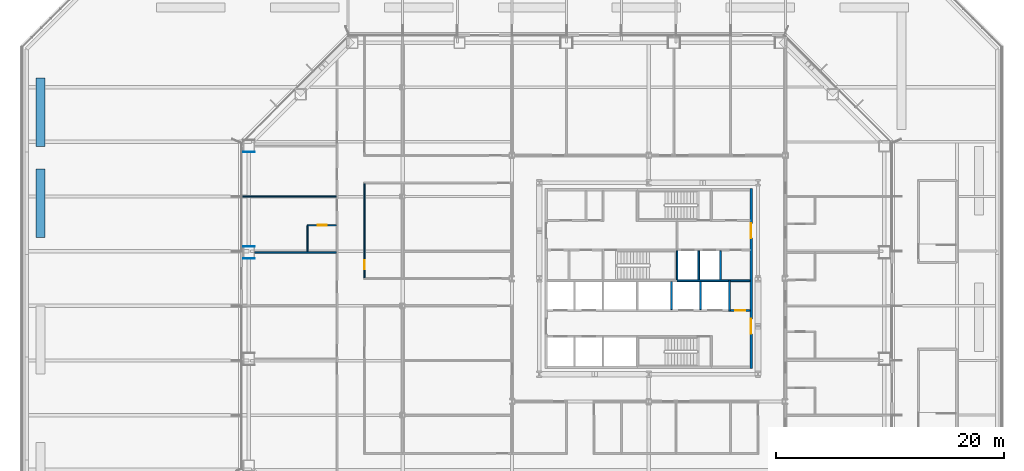
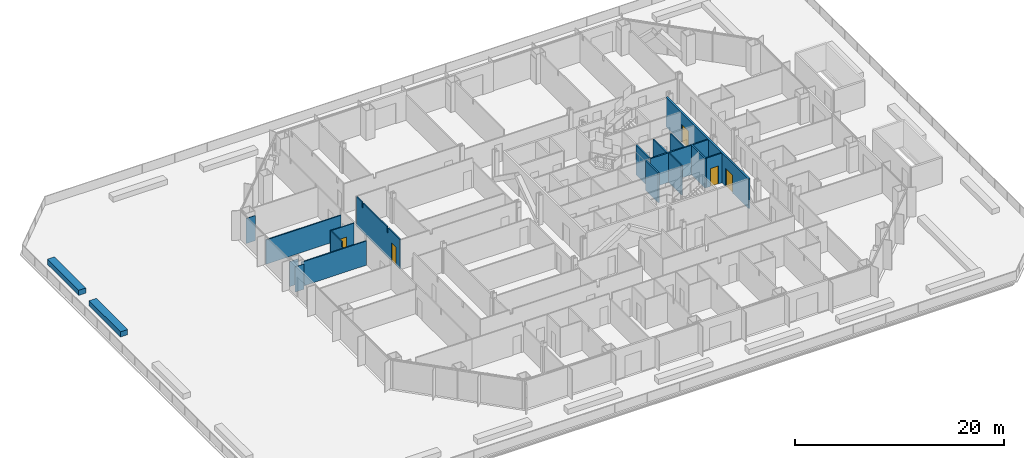
# One storey, part 12 of 18: 20 walls, 5 doors, 5 openings.
"""IFC4 building model written with IfcOpenShell, lengths in metres."""

from ifc_helpers import new_model, si_unit, direction, frame, frame_2d, origin, place, context, subcontext, project, spatial, polyline, rectangle, outline, extrude, material, layer, layer_set, type_object, element, fill, save


model = new_model("IFC4")

# Units and contexts
model_context = context("Model", 3, precision=1e-05, world=origin(), true_north=direction((0.0, 1.0)))
body_context = subcontext(model_context, "Body", "Model", "MODEL_VIEW")
ifc_project = project(units=[si_unit("LENGTHUNIT", "METRE"), si_unit("AREAUNIT", "SQUARE_METRE"), si_unit("VOLUMEUNIT", "CUBIC_METRE"), si_unit("PLANEANGLEUNIT", "RADIAN"), si_unit("MASSUNIT", "GRAM", prefix="KILO")], contexts=[model_context])

# Site, building, storey
site_placement = place(None, origin())
site = spatial("IfcSite", under=ifc_project, at=site_placement, CompositionType="ELEMENT")
building_placement = place(site_placement, origin())
building = spatial("IfcBuilding", under=site, at=building_placement, Name="Cairn Pilgrim Tower", CompositionType="ELEMENT")
storey_placement = place(building_placement, frame((0.0, 0.0, 40.199951171875)))
storey = spatial("IfcBuildingStorey", under=building, at=storey_placement, Name="L07", CompositionType="ELEMENT", Elevation=40.199951171875)

# Wall, openings, doors
ifc_material_1 = material(Name="Concrete C32/40", Category="concrete")
ifc_layer_1 = layer(ifc_material_1, 0.199951171875)
ifc_layer_set_1 = layer_set([ifc_layer_1], Name="CORE OUTER WALL 200 EI 120")
wall_type_1 = type_object("IfcWallType", Name="CORE OUTER WALL 200 EI 120", PredefinedType="SOLIDWALL", material=ifc_layer_set_1)
wall_1_placement = place(storey_placement, frame((16.199951171875, -5.5, 0.0), z_axis=(0.0, 0.0, 1.0), x_axis=(0.0, 1.0, 0.0)))
wall_1 = element("IfcWall", 1, at=wall_1_placement, inside=storey, type_object=wall_type_1, Name="CW:L07:V33", PredefinedType="SOLIDWALL", context=body_context, shape_type="SweptSolid", body=[
    extrude(rectangle(XDim=15.800048828125, YDim=0.199951171875, at=frame_2d((7.89990234375, 0.0))), origin(), (0.0, 0.0, 1.0), 3.449951171875),
])
opening_1_placement = place(wall_1_placement, frame((3.050048828125, 0.0, 0.0)))
opening_1 = element("IfcOpeningElement", 2, at=opening_1_placement, cuts=wall_1, Name="Opening CD-E1", PredefinedType="OPENING", context=body_context, shape_type="SweptSolid", body=[
    extrude(rectangle(XDim=1.300048828125, YDim=2.10009765625, at=frame_2d((0.64990234375, 1.050048828125))), frame((0.0, 0.10986328125, 0.0), z_axis=(0.0, -1.0, 0.0), x_axis=(1.0, 0.0, 0.0)), (0.0, 0.0, 1.0), 0.219970703125),
])
opening_2_placement = place(wall_1_placement, frame((11.449951171875, 0.0, 0.0)))
opening_2 = element("IfcOpeningElement", 3, at=opening_2_placement, cuts=wall_1, Name="Opening CD-E2", PredefinedType="OPENING", context=body_context, shape_type="SweptSolid", body=[
    extrude(rectangle(XDim=1.300048828125, YDim=2.10009765625, at=frame_2d((0.64990234375, 1.050048828125))), frame((0.0, 0.10986328125, 0.0), z_axis=(0.0, -1.0, 0.0), x_axis=(1.0, 0.0, 0.0)), (0.0, 0.0, 1.0), 0.219970703125),
])
ifc_material_2 = material(Name="Painted steel", Category="steel")
door_type_1 = type_object("IfcDoorType", Name="CORE LOBBY DOOR 1300x2100", OperationType="DOUBLE_DOOR_SINGLE_SWING", PredefinedType="DOOR", material=ifc_material_2)
door_1_placement = place(opening_1_placement, origin())
door_1 = element("IfcDoor", 4, at=door_1_placement, inside=storey, type_object=door_type_1, Name="CD-E1", OperationType="DOUBLE_DOOR_SINGLE_SWING", OverallHeight=2.10009765625, OverallWidth=1.300048828125, PredefinedType="DOOR", context=body_context, shape_type="SweptSolid", body=[
    extrude(rectangle(XDim=1.300048828125, YDim=2.10009765625, at=frame_2d((0.64990234375, 1.050048828125))), frame((0.0, 0.02490234375, 0.0), z_axis=(0.0, -1.0, 0.0), x_axis=(1.0, 0.0, 0.0)), (0.0, 0.0, 1.0), 0.050048828125),
])
fill(opening_1, door_1)
door_2_placement = place(opening_2_placement, origin())
door_2 = element("IfcDoor", 5, at=door_2_placement, inside=storey, type_object=door_type_1, Name="CD-E2", OperationType="DOUBLE_DOOR_SINGLE_SWING", OverallHeight=2.10009765625, OverallWidth=1.300048828125, PredefinedType="DOOR", context=body_context, shape_type="SweptSolid", body=[
    extrude(rectangle(XDim=1.300048828125, YDim=2.10009765625, at=frame_2d((0.64990234375, 1.050048828125))), frame((0.0, 0.02490234375, 0.0), z_axis=(0.0, -1.0, 0.0), x_axis=(1.0, 0.0, 0.0)), (0.0, 0.0, 1.0), 0.050048828125),
])
fill(opening_2, door_2)

# Wall, opening, door
ifc_layer_2 = layer(ifc_material_1, 0.14990234375)
ifc_layer_set_2 = layer_set([ifc_layer_2], Name="CORE PARTITION 150 EI 60")
wall_type_2 = type_object("IfcWallType", Name="CORE PARTITION 150 EI 60", PredefinedType="PARTITIONING", material=ifc_layer_set_2)
wall_2_placement = place(storey_placement, frame((14.375, -0.39990234375, 0.0), z_axis=(0.0, 0.0, 1.0), x_axis=(1.0, 0.0, 0.0)))
wall_2 = element("IfcWall", 6, at=wall_2_placement, inside=storey, type_object=wall_type_2, Name="CW:L07:H04", PredefinedType="PARTITIONING", context=body_context, shape_type="SweptSolid", body=[
    extrude(rectangle(XDim=1.72509765625, YDim=0.14990234375, at=frame_2d((0.862548828125, 0.0))), origin(), (0.0, 0.0, 1.0), 3.449951171875),
])
opening_3_placement = place(wall_2_placement, frame((0.425048828125, 0.0, 0.0)))
opening_3 = element("IfcOpeningElement", 7, at=opening_3_placement, cuts=wall_2, Name="Opening RD-R2E", PredefinedType="OPENING", context=body_context, shape_type="SweptSolid", body=[
    extrude(rectangle(XDim=0.89990234375, YDim=2.10009765625, at=frame_2d((0.449951171875, 1.050048828125))), frame((0.0, 0.0849609375, 0.0), z_axis=(0.0, -1.0, 0.0), x_axis=(1.0, 0.0, 0.0)), (0.0, 0.0, 1.0), 0.169921875),
])
door_type_2 = type_object("IfcDoorType", Name="SERVICE ROOM DOOR 900x2100", OperationType="SINGLE_SWING_LEFT", PredefinedType="DOOR", material=ifc_material_2)
door_3_placement = place(opening_3_placement, origin())
door_3 = element("IfcDoor", 8, at=door_3_placement, inside=storey, type_object=door_type_2, Name="RD-R2E", OperationType="SINGLE_SWING_RIGHT", OverallHeight=2.10009765625, OverallWidth=0.89990234375, PredefinedType="DOOR", context=body_context, shape_type="SweptSolid", body=[
    extrude(rectangle(XDim=0.89990234375, YDim=2.10009765625, at=frame_2d((0.449951171875, 1.050048828125))), frame((0.0, 0.02490234375, 0.0), z_axis=(0.0, -1.0, 0.0), x_axis=(1.0, 0.0, 0.0)), (0.0, 0.0, 1.0), 0.050048828125),
])
fill(opening_3, door_3)

# Walls
wall_3_placement = place(storey_placement, frame((14.375, 2.199951171875, 0.0), z_axis=(0.0, 0.0, 1.0), x_axis=(1.0, 0.0, 0.0)))
element("IfcWall", 9, at=wall_3_placement, inside=storey, type_object=wall_type_2, Name="CW:L07:H06", PredefinedType="PARTITIONING", context=body_context, shape_type="SweptSolid", body=[
    extrude(rectangle(XDim=1.72509765625, YDim=0.14990234375, at=frame_2d((0.862548828125, 0.0))), origin(), (0.0, 0.0, 1.0), 3.449951171875),
])
ifc_layer_3 = layer(ifc_material_1, 0.14990234375)
ifc_layer_set_3 = layer_set([ifc_layer_3], Name="CORE SHAFT WALL 150 EI 120")
wall_type_3 = type_object("IfcWallType", Name="CORE SHAFT WALL 150 EI 120", PredefinedType="SOLIDWALL", material=ifc_layer_set_3)
wall_4_placement = place(storey_placement, frame((9.699951171875, 2.199951171875, 0.0), z_axis=(0.0, 0.0, 1.0), x_axis=(1.0, 0.0, 0.0)))
element("IfcWall", 10, at=wall_4_placement, inside=storey, type_object=wall_type_3, Name="CW:L07:H05-3", PredefinedType="SOLIDWALL", context=body_context, shape_type="SweptSolid", body=[
    extrude(rectangle(XDim=4.525146484375, YDim=0.14990234375, at=frame_2d((2.2626953125, 0.0))), origin(), (0.0, 0.0, 1.0), 3.449951171875),
])
wall_5_placement = place(storey_placement, frame((9.199951171875, -0.324951171875, 0.0), z_axis=(0.0, 0.0, 1.0), x_axis=(0.0, 1.0, 0.0)))
element("IfcWall", 11, at=wall_5_placement, inside=storey, type_object=wall_type_3, Name="CW:L07:V24", PredefinedType="SOLIDWALL", context=body_context, shape_type="SweptSolid", body=[
    extrude(rectangle(XDim=2.449951171875, YDim=0.14990234375, at=frame_2d((1.22509765625, 0.0))), origin(), (0.0, 0.0, 1.0), 3.449951171875),
])
wall_6_placement = place(storey_placement, frame((11.60009765625, 2.27490234375, 0.0), z_axis=(0.0, 0.0, 1.0), x_axis=(0.0, 1.0, 0.0)))
element("IfcWall", 12, at=wall_6_placement, inside=storey, type_object=wall_type_3, Name="CW:L07:V27", PredefinedType="SOLIDWALL", context=body_context, shape_type="SweptSolid", body=[
    extrude(rectangle(XDim=2.550048828125, YDim=0.14990234375, at=frame_2d((1.27490234375, 0.0))), origin(), (0.0, 0.0, 1.0), 3.449951171875),
])
wall_7_placement = place(storey_placement, frame((11.75, -0.324951171875, 0.0), z_axis=(0.0, 0.0, 1.0), x_axis=(0.0, 1.0, 0.0)))
element("IfcWall", 13, at=wall_7_placement, inside=storey, type_object=wall_type_3, Name="CW:L07:V28", PredefinedType="SOLIDWALL", context=body_context, shape_type="SweptSolid", body=[
    extrude(rectangle(XDim=2.449951171875, YDim=0.14990234375, at=frame_2d((1.22509765625, 0.0))), origin(), (0.0, 0.0, 1.0), 3.449951171875),
])
wall_8_placement = place(storey_placement, frame((13.5, 2.27490234375, 0.0), z_axis=(0.0, 0.0, 1.0), x_axis=(0.0, 1.0, 0.0)))
element("IfcWall", 14, at=wall_8_placement, inside=storey, type_object=wall_type_3, Name="CW:L07:V31", PredefinedType="SOLIDWALL", context=body_context, shape_type="SweptSolid", body=[
    extrude(rectangle(XDim=2.550048828125, YDim=0.14990234375, at=frame_2d((1.27490234375, 0.0))), origin(), (0.0, 0.0, 1.0), 3.449951171875),
])
wall_9_placement = place(storey_placement, frame((14.300048828125, -0.47509765625, 0.0), z_axis=(0.0, 0.0, 1.0), x_axis=(0.0, 1.0, 0.0)))
element("IfcWall", 15, at=wall_9_placement, inside=storey, type_object=wall_type_3, Name="CW:L07:V32", PredefinedType="SOLIDWALL", context=body_context, shape_type="SweptSolid", body=[
    extrude(rectangle(XDim=2.75, YDim=0.14990234375, at=frame_2d((1.375, 0.0))), origin(), (0.0, 0.0, 1.0), 3.449951171875),
])
ifc_material_3 = material(Name="Gypsum partition")
ifc_layer_4 = layer(ifc_material_3, 0.10009765625)
ifc_layer_set_4 = layer_set([ifc_layer_4], Name="PARTITION 100 DRYWALL")
wall_type_4 = type_object("IfcWallType", Name="PARTITION 100 DRYWALL", PredefinedType="PARTITIONING", material=ifc_layer_set_4)
wall_10_placement = place(storey_placement, frame((-22.75, 4.738525390625, 0.0), z_axis=(0.0, 0.0, 1.0), x_axis=(0.0, 1.0, 0.0)))
element("IfcWall", 16, at=wall_10_placement, inside=storey, type_object=wall_type_4, Name="PARTITION W065", PredefinedType="PARTITIONING", context=body_context, shape_type="SweptSolid", body=[
    extrude(outline(polyline([(0.0, 0.0), (2.287353515625, 0.0), (2.28759765625, 3.449951171875), (0.17138671875, 3.449951171875), (0.16943359375, 2.830078125), (0.0, 2.830078125), (0.0, 0.0)])), frame((0.0, 0.050048828125, 0.0), z_axis=(0.0, -1.0, 0.0), x_axis=(1.0, 0.0, 0.0)), (0.0, 0.0, 1.0), 0.10009765625),
])

# Wall, opening, door
wall_11_placement = place(storey_placement, frame((-22.800048828125, 7.075927734375, 0.0), z_axis=(0.0, 0.0, 1.0), x_axis=(1.0, 0.0, 0.0)))
wall_11 = element("IfcWall", 17, at=wall_11_placement, inside=storey, type_object=wall_type_4, Name="PARTITION W068", PredefinedType="PARTITIONING", context=body_context, shape_type="SweptSolid", body=[
    extrude(rectangle(XDim=2.587646484375, YDim=0.10009765625, at=frame_2d((1.2939453125, 0.0))), origin(), (0.0, 0.0, 1.0), 3.449951171875),
])
opening_4_placement = place(wall_11_placement, frame((0.949951171875, 0.0, 0.0)))
opening_4 = element("IfcOpeningElement", 18, at=opening_4_placement, cuts=wall_11, Name="Opening 0712E", PredefinedType="OPENING", context=body_context, shape_type="SweptSolid", body=[
    extrude(rectangle(XDim=0.800048828125, YDim=2.10009765625, at=frame_2d((0.39990234375, 1.050048828125))), frame((0.0, 0.06005859375, 0.0), z_axis=(0.0, -1.0, 0.0), x_axis=(1.0, 0.0, 0.0)), (0.0, 0.0, 1.0), 0.1201171875),
])
ifc_material_4 = material(Name="Timber door leaf", Category="wood")
door_type_3 = type_object("IfcDoorType", Name="DOOR 800x2100", OperationType="NOTDEFINED", PredefinedType="DOOR", material=ifc_material_4)
door_4_placement = place(opening_4_placement, frame((0.800048828125, 0.0, 0.0), z_axis=(0.0, 0.0, 1.0), x_axis=(-1.0, 0.0, 0.0)))
door_4 = element("IfcDoor", 19, at=door_4_placement, inside=storey, type_object=door_type_3, Name="DOOR 0712E", OperationType="SINGLE_SWING_LEFT", OverallHeight=2.10009765625, OverallWidth=0.800048828125, PredefinedType="DOOR", context=body_context, shape_type="SweptSolid", body=[
    extrude(rectangle(XDim=0.800048828125, YDim=2.10009765625, at=frame_2d((0.39990234375, 1.050048828125))), frame((0.0, 0.02490234375, 0.0), z_axis=(0.0, -1.0, 0.0), x_axis=(1.0, 0.0, 0.0)), (0.0, 0.0, 1.0), 0.050048828125),
])
fill(opening_4, door_4)

ifc_layer_5 = layer(ifc_material_3, 0.125)
ifc_layer_set_5 = layer_set([ifc_layer_5], Name="PARTITION 125 DRYWALL EI 60")
wall_type_5 = type_object("IfcWallType", Name="PARTITION 125 DRYWALL EI 60", PredefinedType="PARTITIONING", material=ifc_layer_set_5)
wall_12_placement = place(storey_placement, frame((-17.75, 2.46240234375, 0.0), z_axis=(0.0, 0.0, 1.0), x_axis=(0.0, 1.0, 0.0)))
wall_12 = element("IfcWall", 20, at=wall_12_placement, inside=storey, type_object=wall_type_5, Name="PARTITION W060", PredefinedType="PARTITIONING", context=body_context, shape_type="SweptSolid", body=[
    extrude(outline(polyline([(0.0, 0.0), (8.275146484375, 0.0), (8.27490234375, 3.449951171875), (7.24755859375, 3.449951171875), (7.24560546875, 2.830078125), (7.027587890625, 2.830078125), (7.025390625, 3.449951171875), (2.447509765625, 3.449951171875), (2.445556640625, 2.830078125), (2.2275390625, 2.830078125), (2.2255859375, 3.449951171875), (0.0, 3.449951171875), (0.0, 0.0)])), frame((0.0, 0.0625, 0.0), z_axis=(0.0, -1.0, 0.0), x_axis=(1.0, 0.0, 0.0)), (0.0, 0.0, 1.0), 0.125),
])
opening_5_placement = place(wall_12_placement, frame((0.737548828125, 0.0, 0.0)))
opening_5 = element("IfcOpeningElement", 21, at=opening_5_placement, cuts=wall_12, Name="Opening 0733", PredefinedType="OPENING", context=body_context, shape_type="SweptSolid", body=[
    extrude(rectangle(XDim=0.800048828125, YDim=2.10009765625, at=frame_2d((0.39990234375, 1.050048828125))), frame((0.0, 0.072509765625, 0.0), z_axis=(0.0, -1.0, 0.0), x_axis=(1.0, 0.0, 0.0)), (0.0, 0.0, 1.0), 0.14501953125),
])
ifc_material_5 = material(Name="Steel-faced fire door leaf", Category="steel")
door_type_4 = type_object("IfcDoorType", Name="FIRE DOOR 800x2100 FD30S", OperationType="NOTDEFINED", PredefinedType="DOOR", material=ifc_material_5)
door_5_placement = place(opening_5_placement, frame((0.800048828125, 0.0, 0.0), z_axis=(0.0, 0.0, 1.0), x_axis=(-1.0, 0.0, 0.0)))
door_5 = element("IfcDoor", 22, at=door_5_placement, inside=storey, type_object=door_type_4, Name="DOOR 0733", OperationType="SINGLE_SWING_RIGHT", OverallHeight=2.10009765625, OverallWidth=0.800048828125, PredefinedType="DOOR", context=body_context, shape_type="SweptSolid", body=[
    extrude(rectangle(XDim=0.800048828125, YDim=2.10009765625, at=frame_2d((0.39990234375, 1.050048828125))), frame((0.0, 0.02490234375, 0.0), z_axis=(0.0, -1.0, 0.0), x_axis=(1.0, 0.0, 0.0)), (0.0, 0.0, 1.0), 0.050048828125),
])
fill(opening_5, door_5)

# Walls
wall_13_placement = place(storey_placement, frame((-27.39990234375, 4.676025390625, 0.0), z_axis=(0.0, 0.0, 1.0), x_axis=(1.0, 0.0, 0.0)))
element("IfcWall", 23, at=wall_13_placement, inside=storey, type_object=wall_type_5, Name="PARTITION W064", PredefinedType="PARTITIONING", context=body_context, shape_type="SweptSolid", body=[
    extrude(rectangle(XDim=7.1875, YDim=0.125, at=frame_2d((3.59375, 0.0))), origin(), (0.0, 0.0, 1.0), 2.830078125),
])
wall_14_placement = place(storey_placement, frame((-28.489990234375, 9.60009765625, 0.0), z_axis=(0.0, 0.0, 1.0), x_axis=(1.0, 0.0, 0.0)))
element("IfcWall", 24, at=wall_14_placement, inside=storey, type_object=wall_type_5, Name="PARTITION W071", PredefinedType="PARTITIONING", context=body_context, shape_type="SweptSolid", body=[
    extrude(rectangle(XDim=8.277587890625, YDim=0.125, at=frame_2d((4.138671875, 0.0))), origin(), (0.0, 0.0, 1.0), 2.830078125),
])
ifc_layer_6 = layer(ifc_material_3, 0.050048828125)
ifc_layer_set_6 = layer_set([ifc_layer_6], Name="PARTITION 50 DRYWALL EI 60")
wall_type_6 = type_object("IfcWallType", Name="PARTITION 50 DRYWALL EI 60", PredefinedType="PARTITIONING", material=ifc_layer_set_6)
for number, where, z_axis, x_axis, name in (
    (25, (-28.39990234375, 5.20068359375, 0.0), (0.0, 0.0, 1.0), (1.0, 0.0, 0.0), "COLUMN CASING WC27"),
    (26, (-28.39990234375, 4.150634765625, 0.0), (0.0, 0.0, 1.0), (1.0, 0.0, 0.0), "COLUMN CASING WC28"),
    (27, (-28.39990234375, 13.502197265625, 0.0), (0.0, 0.0, 1.0), (1.0, 0.0, 0.0), "COLUMN CASING WC42"),
):
    element("IfcWall", number, at=place(storey_placement, frame(where, z_axis=z_axis, x_axis=x_axis)), inside=storey, type_object=wall_type_6, Name=name, PredefinedType="PARTITIONING", context=body_context, shape_type="SweptSolid", body=[
        extrude(rectangle(XDim=1.0, YDim=0.050048828125, at=frame_2d((0.5, 0.0))), origin(), (0.0, 0.0, 1.0), 2.929931640625),
    ])
ifc_material_6 = material(Name="Concrete C35/45", Category="concrete")
ifc_layer_7 = layer(ifc_material_6, 0.800048828125)
ifc_layer_set_7 = layer_set([ifc_layer_7], Name="PLANTER TROUGH WALL 800 CONCRETE C35/45")
wall_type_7 = type_object("IfcWallType", Name="PLANTER TROUGH WALL 800 CONCRETE C35/45", PredefinedType="NOTDEFINED", material=ifc_layer_set_7)
for number, where, z_axis, x_axis, name in (
    (28, (-46.199951171875, 6.0, 0.0), (0.0, 0.0, 1.0), (0.0, 1.0, 0.0), "PLANTER"),
    (29, (-46.199951171875, 14.0, 0.0), (0.0, 0.0, 1.0), (0.0, 1.0, 0.0), "PLANTER"),
):
    element("IfcWall", number, at=place(storey_placement, frame(where, z_axis=z_axis, x_axis=x_axis)), inside=storey, type_object=wall_type_7, Name=name, PredefinedType="NOTDEFINED", context=body_context, shape_type="SweptSolid", body=[
        extrude(rectangle(XDim=6.0, YDim=0.800048828125, at=frame_2d((3.0, 0.0))), origin(), (0.0, 0.0, 1.0), 0.60009765625),
    ])
ifc_layer_8 = layer(ifc_material_6, 0.14990234375)
ifc_layer_set_8 = layer_set([ifc_layer_8], Name="STAIR SHAFT WALL 150 EI 120")
wall_type_8 = type_object("IfcWallType", Name="STAIR SHAFT WALL 150 EI 120", PredefinedType="SOLIDWALL", material=ifc_layer_set_8)
wall_15_placement = place(storey_placement, frame((9.699951171875, 2.27490234375, 0.0), z_axis=(0.0, 0.0, 1.0), x_axis=(0.0, 1.0, 0.0)))
element("IfcWall", 30, at=wall_15_placement, inside=storey, type_object=wall_type_8, Name="CW:L07:V25", PredefinedType="SOLIDWALL", context=body_context, shape_type="SweptSolid", body=[
    extrude(rectangle(XDim=2.550048828125, YDim=0.14990234375, at=frame_2d((1.27490234375, 0.0))), origin(), (0.0, 0.0, 1.0), 3.449951171875),
])

save(model, "model.ifc")
